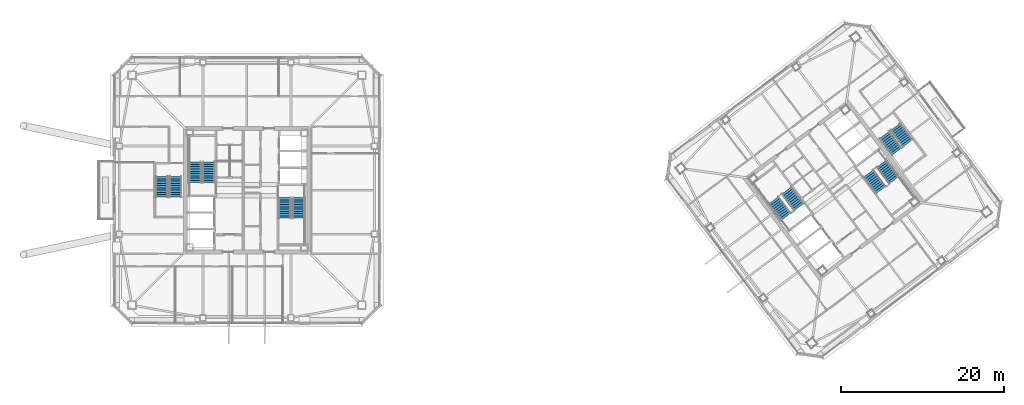
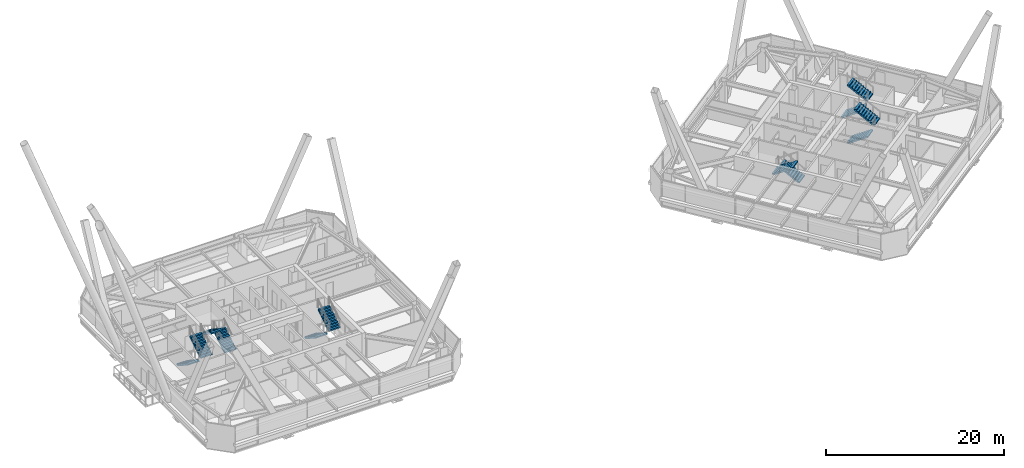
# One storey, part 50 of 56: 12 stair flights, 6 elements without a shape of their own.
"""IFC4 building model written with IfcOpenShell, lengths in metres."""

from ifc_helpers import new_model, si_unit, direction, frame, origin, place, context, subcontext, project, spatial, polyline, outline, extrude, material, type_object, element, aggregate, save


model = new_model("IFC4")

# Units and contexts
model_context = context("Model", 3, precision=1e-05, world=origin(), true_north=direction((0.0, 1.0)))
body_context = subcontext(model_context, "Body", "Model", "MODEL_VIEW")
ifc_project = project(units=[si_unit("LENGTHUNIT", "METRE"), si_unit("AREAUNIT", "SQUARE_METRE"), si_unit("VOLUMEUNIT", "CUBIC_METRE"), si_unit("PLANEANGLEUNIT", "RADIAN"), si_unit("MASSUNIT", "GRAM", prefix="KILO")], contexts=[model_context])

# Site, building, storey
site_placement = place(None, origin())
site = spatial("IfcSite", under=ifc_project, at=site_placement, CompositionType="ELEMENT")
building_placement = place(site_placement, origin())
building = spatial("IfcBuilding", under=site, at=building_placement, Name="Tashvorn Skyway Center", CompositionType="ELEMENT")
storey_placement = place(building_placement, frame((0.0, 0.0, 218.39990234375)))
storey = spatial("IfcBuildingStorey", under=building, at=storey_placement, Name="L59", CompositionType="ELEMENT", Elevation=218.39990234375)

# Stair, stair flights
ifc_material = material(Name="Concrete C40/50", Category="concrete")
stair_type = type_object("IfcStairType", Name="STAIR-CORE-1500", PredefinedType="HALF_TURN_STAIR", material=ifc_material)
stair_1_placement = place(storey_placement, origin())
stair_1 = element("IfcStair", 1, at=stair_1_placement, inside=storey, type_object=stair_type, Name="L59 Tower 1 Exit Stair 1", PredefinedType="HALF_TURN_STAIR")
stair_flight_type = type_object("IfcStairFlightType", Name="SFLIGHT-1500", PredefinedType="STRAIGHT", material=ifc_material)
stair_flight_1_placement = place(storey_placement, frame((37.35009765625, 32.919921875, 0.0), z_axis=(0.0, 0.0, 1.0), x_axis=(0.0, 1.0, 0.0)))
stair_flight_1 = element("IfcStairFlight", 2, at=stair_flight_1_placement, type_object=stair_flight_type, Name="ST-T1-1 flight 1", NumberOfRisers=10, NumberOfTreads=9, PredefinedType="STRAIGHT", RiserHeight=0.1775, TreadLength=0.28, context=body_context, shape_type="SweptSolid", body=[
    extrude(outline(polyline([(0.0, 0.0), (0.0, 0.177490234375), (0.280029296875, 0.177490234375), (0.280029296875, 0.35498046875), (0.56005859375, 0.35498046875), (0.56005859375, 0.532470703125), (0.840087890625, 0.532470703125), (0.840087890625, 0.7099609375), (1.1201171875, 0.7099609375), (1.1201171875, 0.887451171875), (1.39990234375, 0.887451171875), (1.39990234375, 1.06494140625), (1.679931640625, 1.06494140625), (1.679931640625, 1.242431640625), (1.9599609375, 1.242431640625), (1.9599609375, 1.419921875), (2.239990234375, 1.419921875), (2.239990234375, 1.597412109375), (2.52001953125, 1.597412109375), (2.52001953125, 1.77490234375), (2.52001953125, 1.419921875), (0.280029296875, 0.0), (0.0, 0.0)])), frame((0.0, 0.75, 0.0), z_axis=(0.0, -1.0, 0.0), x_axis=(1.0, 0.0, 0.0)), (0.0, 0.0, 1.0), 1.5),
])
stair_flight_2_placement = place(storey_placement, frame((35.64990234375, 35.43994140625, 1.775146484375), z_axis=(0.0, 0.0, 1.0), x_axis=(0.0, -1.0, 0.0)))
stair_flight_2 = element("IfcStairFlight", 3, at=stair_flight_2_placement, type_object=stair_flight_type, Name="ST-T1-1 flight 2", NumberOfRisers=10, NumberOfTreads=9, PredefinedType="STRAIGHT", RiserHeight=0.1775, TreadLength=0.28, context=body_context, shape_type="SweptSolid", body=[
    extrude(outline(polyline([(0.0, 0.0), (0.0, 0.177490234375), (0.280029296875, 0.177490234375), (0.280029296875, 0.35498046875), (0.56005859375, 0.35498046875), (0.56005859375, 0.532470703125), (0.840087890625, 0.532470703125), (0.840087890625, 0.7099609375), (1.1201171875, 0.7099609375), (1.1201171875, 0.887451171875), (1.39990234375, 0.887451171875), (1.39990234375, 1.06494140625), (1.679931640625, 1.06494140625), (1.679931640625, 1.242431640625), (1.9599609375, 1.242431640625), (1.9599609375, 1.419921875), (2.239990234375, 1.419921875), (2.239990234375, 1.597412109375), (2.52001953125, 1.597412109375), (2.52001953125, 1.77490234375), (2.52001953125, 1.419921875), (0.280029296875, 0.0), (0.0, 0.0)])), frame((0.0, 0.75, 0.0), z_axis=(0.0, -1.0, 0.0), x_axis=(1.0, 0.0, 0.0)), (0.0, 0.0, 1.0), 1.5),
])
aggregate(stair_1, [stair_flight_1, stair_flight_2])

stair_2_placement = place(storey_placement, origin())
stair_2 = element("IfcStair", 4, at=stair_2_placement, inside=storey, type_object=stair_type, Name="L59 Tower 1 Exit Stair 2", PredefinedType="HALF_TURN_STAIR")
stair_flight_3_placement = place(storey_placement, frame((46.64990234375, 31.080078125, 0.0), z_axis=(0.0, 0.0, 1.0), x_axis=(0.0, -1.0, 0.0)))
stair_flight_3 = element("IfcStairFlight", 5, at=stair_flight_3_placement, type_object=stair_flight_type, Name="ST-T1-2 flight 1", NumberOfRisers=10, NumberOfTreads=9, PredefinedType="STRAIGHT", RiserHeight=0.1775, TreadLength=0.28, context=body_context, shape_type="SweptSolid", body=[
    extrude(outline(polyline([(0.0, 0.0), (0.0, 0.177490234375), (0.280029296875, 0.177490234375), (0.280029296875, 0.35498046875), (0.56005859375, 0.35498046875), (0.56005859375, 0.532470703125), (0.840087890625, 0.532470703125), (0.840087890625, 0.7099609375), (1.1201171875, 0.7099609375), (1.1201171875, 0.887451171875), (1.39990234375, 0.887451171875), (1.39990234375, 1.06494140625), (1.679931640625, 1.06494140625), (1.679931640625, 1.242431640625), (1.9599609375, 1.242431640625), (1.9599609375, 1.419921875), (2.239990234375, 1.419921875), (2.239990234375, 1.597412109375), (2.52001953125, 1.597412109375), (2.52001953125, 1.77490234375), (2.52001953125, 1.419921875), (0.280029296875, 0.0), (0.0, 0.0)])), frame((0.0, 0.75, 0.0), z_axis=(0.0, -1.0, 0.0), x_axis=(1.0, 0.0, 0.0)), (0.0, 0.0, 1.0), 1.5),
])
stair_flight_4_placement = place(storey_placement, frame((48.35009765625, 28.56005859375, 1.775146484375), z_axis=(0.0, 0.0, 1.0), x_axis=(0.0, 1.0, 0.0)))
stair_flight_4 = element("IfcStairFlight", 6, at=stair_flight_4_placement, type_object=stair_flight_type, Name="ST-T1-2 flight 2", NumberOfRisers=10, NumberOfTreads=9, PredefinedType="STRAIGHT", RiserHeight=0.1775, TreadLength=0.28, context=body_context, shape_type="SweptSolid", body=[
    extrude(outline(polyline([(0.0, 0.0), (0.0, 0.177490234375), (0.280029296875, 0.177490234375), (0.280029296875, 0.35498046875), (0.56005859375, 0.35498046875), (0.56005859375, 0.532470703125), (0.840087890625, 0.532470703125), (0.840087890625, 0.7099609375), (1.1201171875, 0.7099609375), (1.1201171875, 0.887451171875), (1.39990234375, 0.887451171875), (1.39990234375, 1.06494140625), (1.679931640625, 1.06494140625), (1.679931640625, 1.242431640625), (1.9599609375, 1.242431640625), (1.9599609375, 1.419921875), (2.239990234375, 1.419921875), (2.239990234375, 1.597412109375), (2.52001953125, 1.597412109375), (2.52001953125, 1.77490234375), (2.52001953125, 1.419921875), (0.280029296875, 0.0), (0.0, 0.0)])), frame((0.0, 0.75, 0.0), z_axis=(0.0, -1.0, 0.0), x_axis=(1.0, 0.0, 0.0)), (0.0, 0.0, 1.0), 1.5),
])
aggregate(stair_2, [stair_flight_3, stair_flight_4])

stair_3_placement = place(storey_placement, origin())
stair_3 = element("IfcStair", 7, at=stair_3_placement, inside=storey, type_object=stair_type, Name="L59 Tower 2 Exit Stair 1", PredefinedType="HALF_TURN_STAIR")
stair_flight_5_placement = place(storey_placement, frame((109.72802734375, 29.946044921875, 0.0), z_axis=(0.0, 0.0, 1.0), x_axis=(-0.600000004945, 0.799999996291, 0.0)))
stair_flight_5 = element("IfcStairFlight", 8, at=stair_flight_5_placement, type_object=stair_flight_type, Name="ST-T2-1 flight 1", NumberOfRisers=10, NumberOfTreads=9, PredefinedType="STRAIGHT", RiserHeight=0.1775, TreadLength=0.28, context=body_context, shape_type="SweptSolid", body=[
    extrude(outline(polyline([(0.0, 0.0), (0.0, 0.177490234375), (0.280029296875, 0.177490234375), (0.280029296875, 0.35498046875), (0.56005859375, 0.35498046875), (0.56005859375, 0.532470703125), (0.840087890625, 0.532470703125), (0.840087890625, 0.7099609375), (1.1201171875, 0.7099609375), (1.1201171875, 0.887451171875), (1.39990234375, 0.887451171875), (1.39990234375, 1.06494140625), (1.679931640625, 1.06494140625), (1.679931640625, 1.242431640625), (1.9599609375, 1.242431640625), (1.9599609375, 1.419921875), (2.239990234375, 1.419921875), (2.239990234375, 1.597412109375), (2.52001953125, 1.597412109375), (2.52001953125, 1.77490234375), (2.52001953125, 1.419921875), (0.280029296875, 0.0), (0.0, 0.0)])), frame((0.0, 0.75, 0.0), z_axis=(0.0, -1.0, 0.0), x_axis=(1.0, 0.0, 0.0)), (0.0, 0.0, 1.0), 1.5),
])
stair_flight_6_placement = place(storey_placement, frame((106.632080078125, 30.77392578125, 1.775146484375), z_axis=(0.0, 0.0, 1.0), x_axis=(0.600000004945, -0.799999996291, 0.0)))
stair_flight_6 = element("IfcStairFlight", 9, at=stair_flight_6_placement, type_object=stair_flight_type, Name="ST-T2-1 flight 2", NumberOfRisers=10, NumberOfTreads=9, PredefinedType="STRAIGHT", RiserHeight=0.1775, TreadLength=0.28, context=body_context, shape_type="SweptSolid", body=[
    extrude(outline(polyline([(0.0, 0.0), (0.0, 0.177490234375), (0.280029296875, 0.177490234375), (0.280029296875, 0.35498046875), (0.56005859375, 0.35498046875), (0.56005859375, 0.532470703125), (0.840087890625, 0.532470703125), (0.840087890625, 0.7099609375), (1.1201171875, 0.7099609375), (1.1201171875, 0.887451171875), (1.39990234375, 0.887451171875), (1.39990234375, 1.06494140625), (1.679931640625, 1.06494140625), (1.679931640625, 1.242431640625), (1.9599609375, 1.242431640625), (1.9599609375, 1.419921875), (2.239990234375, 1.419921875), (2.239990234375, 1.597412109375), (2.52001953125, 1.597412109375), (2.52001953125, 1.77490234375), (2.52001953125, 1.419921875), (0.280029296875, 0.0), (0.0, 0.0)])), frame((0.0, 0.75, 0.0), z_axis=(0.0, -1.0, 0.0), x_axis=(1.0, 0.0, 0.0)), (0.0, 0.0, 1.0), 1.5),
])
aggregate(stair_3, [stair_flight_5, stair_flight_6])

stair_4_placement = place(storey_placement, origin())
stair_4 = element("IfcStair", 10, at=stair_4_placement, inside=storey, type_object=stair_type, Name="L59 Tower 2 Exit Stair 2", PredefinedType="HALF_TURN_STAIR")
stair_flight_7_placement = place(storey_placement, frame((118.27197265625, 34.053955078125, 0.0), z_axis=(0.0, 0.0, 1.0), x_axis=(0.600000004945, -0.799999996291, 0.0)))
stair_flight_7 = element("IfcStairFlight", 11, at=stair_flight_7_placement, type_object=stair_flight_type, Name="ST-T2-2 flight 1", NumberOfRisers=10, NumberOfTreads=9, PredefinedType="STRAIGHT", RiserHeight=0.1775, TreadLength=0.28, context=body_context, shape_type="SweptSolid", body=[
    extrude(outline(polyline([(0.0, 0.0), (0.0, 0.177490234375), (0.280029296875, 0.177490234375), (0.280029296875, 0.35498046875), (0.56005859375, 0.35498046875), (0.56005859375, 0.532470703125), (0.840087890625, 0.532470703125), (0.840087890625, 0.7099609375), (1.1201171875, 0.7099609375), (1.1201171875, 0.887451171875), (1.39990234375, 0.887451171875), (1.39990234375, 1.06494140625), (1.679931640625, 1.06494140625), (1.679931640625, 1.242431640625), (1.9599609375, 1.242431640625), (1.9599609375, 1.419921875), (2.239990234375, 1.419921875), (2.239990234375, 1.597412109375), (2.52001953125, 1.597412109375), (2.52001953125, 1.77490234375), (2.52001953125, 1.419921875), (0.280029296875, 0.0), (0.0, 0.0)])), frame((0.0, 0.75, 0.0), z_axis=(0.0, -1.0, 0.0), x_axis=(1.0, 0.0, 0.0)), (0.0, 0.0, 1.0), 1.5),
])
stair_flight_8_placement = place(storey_placement, frame((121.367919921875, 33.22607421875, 1.775146484375), z_axis=(0.0, 0.0, 1.0), x_axis=(-0.600000004945, 0.799999996291, 0.0)))
stair_flight_8 = element("IfcStairFlight", 12, at=stair_flight_8_placement, type_object=stair_flight_type, Name="ST-T2-2 flight 2", NumberOfRisers=10, NumberOfTreads=9, PredefinedType="STRAIGHT", RiserHeight=0.1775, TreadLength=0.28, context=body_context, shape_type="SweptSolid", body=[
    extrude(outline(polyline([(0.0, 0.0), (0.0, 0.177490234375), (0.280029296875, 0.177490234375), (0.280029296875, 0.35498046875), (0.56005859375, 0.35498046875), (0.56005859375, 0.532470703125), (0.840087890625, 0.532470703125), (0.840087890625, 0.7099609375), (1.1201171875, 0.7099609375), (1.1201171875, 0.887451171875), (1.39990234375, 0.887451171875), (1.39990234375, 1.06494140625), (1.679931640625, 1.06494140625), (1.679931640625, 1.242431640625), (1.9599609375, 1.242431640625), (1.9599609375, 1.419921875), (2.239990234375, 1.419921875), (2.239990234375, 1.597412109375), (2.52001953125, 1.597412109375), (2.52001953125, 1.77490234375), (2.52001953125, 1.419921875), (0.280029296875, 0.0), (0.0, 0.0)])), frame((0.0, 0.75, 0.0), z_axis=(0.0, -1.0, 0.0), x_axis=(1.0, 0.0, 0.0)), (0.0, 0.0, 1.0), 1.5),
])
aggregate(stair_4, [stair_flight_7, stair_flight_8])

stair_5_placement = place(storey_placement, origin())
stair_5 = element("IfcStair", 13, at=stair_5_placement, inside=storey, type_object=stair_type, Name="L59 Tower 1 Exit Stair 3", PredefinedType="HALF_TURN_STAIR")
stair_flight_9_placement = place(storey_placement, frame((31.550048828125, 33.679931640625, 0.0), z_axis=(0.0, 0.0, 1.0), x_axis=(0.0, -1.0, 0.0)))
stair_flight_9 = element("IfcStairFlight", 14, at=stair_flight_9_placement, type_object=stair_flight_type, Name="ST-T1-3 flight 1", NumberOfRisers=10, NumberOfTreads=9, PredefinedType="STRAIGHT", RiserHeight=0.1775, TreadLength=0.28, context=body_context, shape_type="SweptSolid", body=[
    extrude(outline(polyline([(0.0, 0.0), (0.0, 0.177490234375), (0.280029296875, 0.177490234375), (0.280029296875, 0.35498046875), (0.56005859375, 0.35498046875), (0.56005859375, 0.532470703125), (0.840087890625, 0.532470703125), (0.840087890625, 0.7099609375), (1.1201171875, 0.7099609375), (1.1201171875, 0.887451171875), (1.39990234375, 0.887451171875), (1.39990234375, 1.06494140625), (1.679931640625, 1.06494140625), (1.679931640625, 1.242431640625), (1.9599609375, 1.242431640625), (1.9599609375, 1.419921875), (2.239990234375, 1.419921875), (2.239990234375, 1.597412109375), (2.52001953125, 1.597412109375), (2.52001953125, 1.77490234375), (2.52001953125, 1.419921875), (0.280029296875, 0.0), (0.0, 0.0)])), frame((0.0, 0.75, 0.0), z_axis=(0.0, -1.0, 0.0), x_axis=(1.0, 0.0, 0.0)), (0.0, 0.0, 1.0), 1.5),
])
stair_flight_10_placement = place(storey_placement, frame((33.25, 31.159912109375, 1.775146484375), z_axis=(0.0, 0.0, 1.0), x_axis=(0.0, 1.0, 0.0)))
stair_flight_10 = element("IfcStairFlight", 15, at=stair_flight_10_placement, type_object=stair_flight_type, Name="ST-T1-3 flight 2", NumberOfRisers=10, NumberOfTreads=9, PredefinedType="STRAIGHT", RiserHeight=0.1775, TreadLength=0.28, context=body_context, shape_type="SweptSolid", body=[
    extrude(outline(polyline([(0.0, 0.0), (0.0, 0.177490234375), (0.280029296875, 0.177490234375), (0.280029296875, 0.35498046875), (0.56005859375, 0.35498046875), (0.56005859375, 0.532470703125), (0.840087890625, 0.532470703125), (0.840087890625, 0.7099609375), (1.1201171875, 0.7099609375), (1.1201171875, 0.887451171875), (1.39990234375, 0.887451171875), (1.39990234375, 1.06494140625), (1.679931640625, 1.06494140625), (1.679931640625, 1.242431640625), (1.9599609375, 1.242431640625), (1.9599609375, 1.419921875), (2.239990234375, 1.419921875), (2.239990234375, 1.597412109375), (2.52001953125, 1.597412109375), (2.52001953125, 1.77490234375), (2.52001953125, 1.419921875), (0.280029296875, 0.0), (0.0, 0.0)])), frame((0.0, 0.75, 0.0), z_axis=(0.0, -1.0, 0.0), x_axis=(1.0, 0.0, 0.0)), (0.0, 0.0, 1.0), 1.5),
])
aggregate(stair_5, [stair_flight_9, stair_flight_10])

stair_6_placement = place(storey_placement, origin())
stair_6 = element("IfcStair", 16, at=stair_6_placement, inside=storey, type_object=stair_type, Name="L59 Tower 2 Exit Stair 3", PredefinedType="HALF_TURN_STAIR")
stair_flight_11_placement = place(storey_placement, frame((120.216064453125, 38.761962890625, 0.0), z_axis=(0.0, 0.0, 1.0), x_axis=(0.600000004945, -0.799999996291, 0.0)))
stair_flight_11 = element("IfcStairFlight", 17, at=stair_flight_11_placement, type_object=stair_flight_type, Name="ST-T2-3 flight 1", NumberOfRisers=10, NumberOfTreads=9, PredefinedType="STRAIGHT", RiserHeight=0.1775, TreadLength=0.28, context=body_context, shape_type="SweptSolid", body=[
    extrude(outline(polyline([(0.0, 0.0), (0.0, 0.177490234375), (0.280029296875, 0.177490234375), (0.280029296875, 0.35498046875), (0.56005859375, 0.35498046875), (0.56005859375, 0.532470703125), (0.840087890625, 0.532470703125), (0.840087890625, 0.7099609375), (1.1201171875, 0.7099609375), (1.1201171875, 0.887451171875), (1.39990234375, 0.887451171875), (1.39990234375, 1.06494140625), (1.679931640625, 1.06494140625), (1.679931640625, 1.242431640625), (1.9599609375, 1.242431640625), (1.9599609375, 1.419921875), (2.239990234375, 1.419921875), (2.239990234375, 1.597412109375), (2.52001953125, 1.597412109375), (2.52001953125, 1.77490234375), (2.52001953125, 1.419921875), (0.280029296875, 0.0), (0.0, 0.0)])), frame((0.0, 0.75, 0.0), z_axis=(0.0, -1.0, 0.0), x_axis=(1.0, 0.0, 0.0)), (0.0, 0.0, 1.0), 1.5),
])
stair_flight_12_placement = place(storey_placement, frame((123.087890625, 37.76611328125, 1.775146484375), z_axis=(0.0, 0.0, 1.0), x_axis=(-0.600000004945, 0.799999996291, 0.0)))
stair_flight_12 = element("IfcStairFlight", 18, at=stair_flight_12_placement, type_object=stair_flight_type, Name="ST-T2-3 flight 2", NumberOfRisers=10, NumberOfTreads=9, PredefinedType="STRAIGHT", RiserHeight=0.1775, TreadLength=0.28, context=body_context, shape_type="SweptSolid", body=[
    extrude(outline(polyline([(0.0, 0.0), (0.0, 0.177490234375), (0.280029296875, 0.177490234375), (0.280029296875, 0.35498046875), (0.56005859375, 0.35498046875), (0.56005859375, 0.532470703125), (0.840087890625, 0.532470703125), (0.840087890625, 0.7099609375), (1.1201171875, 0.7099609375), (1.1201171875, 0.887451171875), (1.39990234375, 0.887451171875), (1.39990234375, 1.06494140625), (1.679931640625, 1.06494140625), (1.679931640625, 1.242431640625), (1.9599609375, 1.242431640625), (1.9599609375, 1.419921875), (2.239990234375, 1.419921875), (2.239990234375, 1.597412109375), (2.52001953125, 1.597412109375), (2.52001953125, 1.77490234375), (2.52001953125, 1.419921875), (0.280029296875, 0.0), (0.0, 0.0)])), frame((0.0, 0.75, 0.0), z_axis=(0.0, -1.0, 0.0), x_axis=(1.0, 0.0, 0.0)), (0.0, 0.0, 1.0), 1.5),
])
aggregate(stair_6, [stair_flight_11, stair_flight_12])

save(model, "model.ifc")
